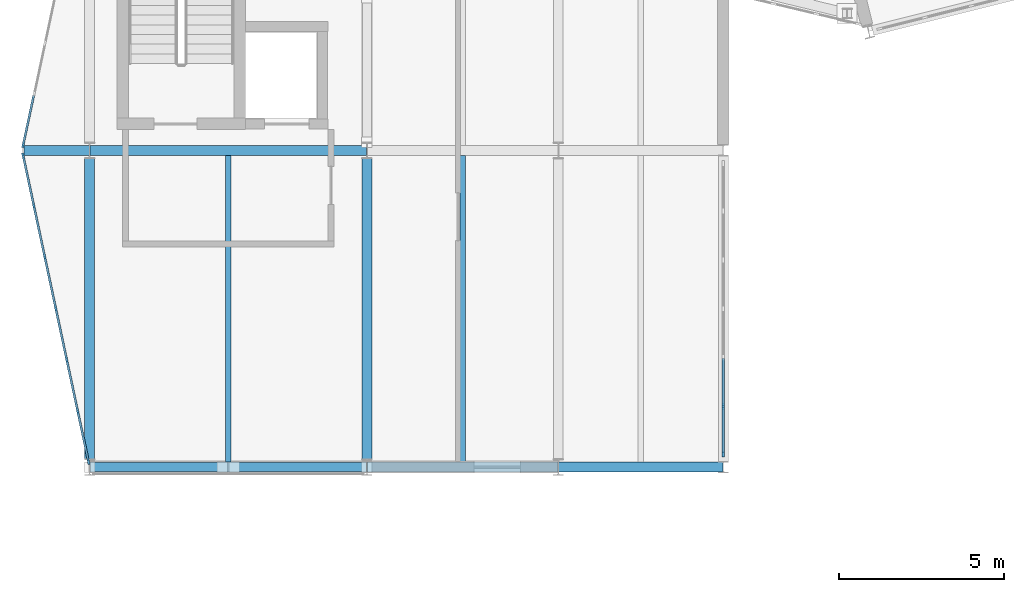
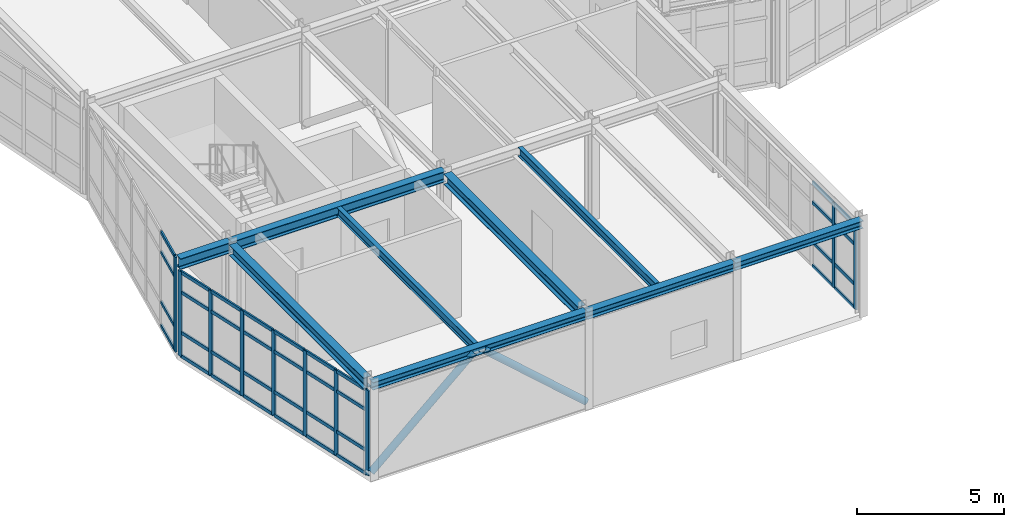
# One storey, part 13 of 76: 48 members, 9 beams, 3 elements without a shape of their own.
"""IFC4 building model written with IfcOpenShell, lengths in metres."""

from ifc_helpers import new_model, si_unit, direction, frame, origin, origin_2d, place, context, subcontext, project, spatial, rectangle, hollow_circle, i_section, extrude, material, layer, layer_set, material_profile, profile_set, type_object, element, aggregate, save


model = new_model("IFC4")

# Units and contexts
model_context = context("Model", 3, precision=1e-05, world=origin(), true_north=direction((0.0, 1.0)))
body_context = subcontext(model_context, "Body", "Model", "MODEL_VIEW")
ifc_project = project(units=[si_unit("LENGTHUNIT", "METRE"), si_unit("AREAUNIT", "SQUARE_METRE"), si_unit("VOLUMEUNIT", "CUBIC_METRE"), si_unit("PLANEANGLEUNIT", "RADIAN"), si_unit("MASSUNIT", "GRAM", prefix="KILO")], contexts=[model_context])

# Site, building, storey
site_placement = place(None, origin())
site = spatial("IfcSite", under=ifc_project, at=site_placement, CompositionType="ELEMENT")
building_placement = place(site_placement, origin())
building = spatial("IfcBuilding", under=site, at=building_placement, Name="Nordkorset Police Headquarters", CompositionType="ELEMENT")
storey_placement = place(building_placement, frame((0.0, 0.0, 13.64990234375)))
storey = spatial("IfcBuildingStorey", under=building, at=storey_placement, Name="L03", CompositionType="ELEMENT", Elevation=13.64990234375)

# Beams
ifc_material_1 = material(Name="Steel S355J2", Category="steel")
ifc_material_profile_1 = material_profile(ifc_material_1, i_section(OverallWidth=0.169921875, OverallDepth=0.360107421875, WebThickness=0.008056640625, FlangeThickness=0.0126953125, FilletRadius=0.01806640625, at=origin_2d()), Name="IPE 360")
ifc_profile_set_1 = profile_set([ifc_material_profile_1], Name="Steel S355J2")
beam_type_1 = type_object("IfcBeamType", Name="Beam_IPE_360", PredefinedType="BEAM", material=ifc_profile_set_1)
for number, where, z_axis, x_axis, name in (
    (1, (4.199951171875, 28.949951171875, 3.800048828125), (0.0, 1.0, 0.0), (-1.0, 0.0, 0.0), "Composite Floor Beam V3 L03 0-0-1"),
    (2, (11.300048828125, 28.949951171875, 3.800048828125), (0.0, 1.0, 0.0), (-1.0, 0.0, 0.0), "Composite Floor Beam V3 L03 1-0-1"),
):
    element("IfcBeam", number, at=place(storey_placement, frame(where, z_axis=z_axis, x_axis=x_axis)), inside=storey, type_object=beam_type_1, Name=name, PredefinedType="BEAM", context=body_context, shape_type="SweptSolid", body=[
        extrude(i_section(OverallWidth=0.169921875, OverallDepth=0.360107421875, WebThickness=0.008056640625, FlangeThickness=0.0126953125, FilletRadius=0.01806640625, at=origin_2d()), origin(), (0.0, 0.0, 1.0), 9.300048828125),
    ])

# Members
ifc_material_2 = material(Name="Steel S355J2", Category="steel")
ifc_material_profile_2 = material_profile(ifc_material_2, hollow_circle(Radius=0.136474609375, WallThickness=0.012451171875, at=origin_2d()), Name="CHS 273x12.5")
ifc_profile_set_2 = profile_set([ifc_material_profile_2], Name="Steel S355J2")
member_type_1 = type_object("IfcMemberType", Name="Brace_CHS_273x12.5", PredefinedType="BRACE", material=ifc_profile_set_2)
for number, where, z_axis, x_axis, name in (
    (3, (0.00732421875, 28.800048828125, 0.2001953125), (0.748059332294, 0.0, 0.663631852286), (0.0, 1.0, 0.0), "Lateral Chevron Brace BF-EXT-V3S L03 D1"),
    (4, (8.392578125, 28.800048828125, 0.2001953125), (-0.748059332294, 0.0, 0.663631852286), (0.0, -1.0, 0.0), "Lateral Chevron Brace BF-EXT-V3S L03 D2"),
):
    element("IfcMember", number, at=place(storey_placement, frame(where, z_axis=z_axis, x_axis=x_axis)), inside=storey, type_object=member_type_1, Name=name, PredefinedType="BRACE", context=body_context, shape_type="SweptSolid", body=[
        extrude(hollow_circle(Radius=0.136474609375, WallThickness=0.012451171875, at=origin_2d()), origin(), (0.0, 0.0, 1.0), 5.3642578125),
    ])

# Curtain wall, members
ifc_material_3 = material(Name="Aluminium alloy AW-6060", Category="aluminium")
ifc_layer_1 = layer(ifc_material_3, 0.179931640625, Name="Aluminium alloy AW-6060")
ifc_layer_set_1 = layer_set([ifc_layer_1], Name="Aluminium alloy AW-6060")
curtain_wall_type_1 = type_object("IfcCurtainWallType", Name="CW_Unit_954x352", PredefinedType="USERDEFINED", material=ifc_layer_set_1)
curtain_wall_1_placement = place(storey_placement, origin())
curtain_wall_1 = element("IfcCurtainWall", 5, at=curtain_wall_1_placement, inside=storey, type_object=curtain_wall_type_1, Name="Unitised Curtain Wall L03 V3W-0", ObjectType="UNITISED CURTAIN WALL", PredefinedType="USERDEFINED")
ifc_material_4 = material(Name="Aluminium alloy AW-6060", Category="aluminium")
ifc_material_profile_3 = material_profile(ifc_material_4, rectangle(XDim=0.06494140625, YDim=0.179931640625, at=origin_2d()), Name="ALU MULL 65x180")
ifc_profile_set_3 = profile_set([ifc_material_profile_3], Name="Aluminium alloy AW-6060")
member_type_2 = type_object("IfcMemberType", Name="CW_Mullion_65x180", PredefinedType="MULLION", material=ifc_profile_set_3)
member_1_placement = place(storey_placement, frame((-0.0361328125, 28.96875, 0.0), z_axis=(0.0, 0.0, 1.0), x_axis=(-0.977951416289, -0.208832534289, 0.0)))
member_1 = element("IfcMember", 6, at=member_1_placement, type_object=member_type_2, Name="CW-105 mullion 1", PredefinedType="MULLION", context=body_context, shape_type="SweptSolid", body=[
    extrude(rectangle(XDim=0.06494140625, YDim=0.179931640625, at=origin_2d()), origin(), (0.0, 0.0, 1.0), 3.52001953125),
])
member_2_placement = place(storey_placement, frame((-0.361083984375, 30.4912109375, 0.0), z_axis=(0.0, 0.0, 1.0), x_axis=(-0.977951416289, -0.208832534289, 0.0)))
member_2 = element("IfcMember", 7, at=member_2_placement, type_object=member_type_2, Name="CW-105 mullion 2", PredefinedType="MULLION", context=body_context, shape_type="SweptSolid", body=[
    extrude(rectangle(XDim=0.06494140625, YDim=0.179931640625, at=origin_2d()), origin(), (0.0, 0.0, 1.0), 3.52001953125),
])
member_3_placement = place(storey_placement, frame((-0.693115234375, 32.045654296875, 0.0), z_axis=(0.0, 0.0, 1.0), x_axis=(-0.977951416289, -0.208832534289, 0.0)))
member_3 = element("IfcMember", 8, at=member_3_placement, type_object=member_type_2, Name="CW-105 mullion 3", PredefinedType="MULLION", context=body_context, shape_type="SweptSolid", body=[
    extrude(rectangle(XDim=0.06494140625, YDim=0.179931640625, at=origin_2d()), origin(), (0.0, 0.0, 1.0), 3.52001953125),
])
member_4_placement = place(storey_placement, frame((-1.02490234375, 33.60009765625, 0.0), z_axis=(0.0, 0.0, 1.0), x_axis=(-0.977951416289, -0.208832534289, 0.0)))
member_4 = element("IfcMember", 9, at=member_4_placement, type_object=member_type_2, Name="CW-105 mullion 4", PredefinedType="MULLION", context=body_context, shape_type="SweptSolid", body=[
    extrude(rectangle(XDim=0.06494140625, YDim=0.179931640625, at=origin_2d()), origin(), (0.0, 0.0, 1.0), 3.52001953125),
])
member_5_placement = place(storey_placement, frame((-1.35693359375, 35.154296875, 0.0), z_axis=(0.0, 0.0, 1.0), x_axis=(-0.977951416289, -0.208832534289, 0.0)))
member_5 = element("IfcMember", 10, at=member_5_placement, type_object=member_type_2, Name="CW-105 mullion 5", PredefinedType="MULLION", context=body_context, shape_type="SweptSolid", body=[
    extrude(rectangle(XDim=0.06494140625, YDim=0.179931640625, at=origin_2d()), origin(), (0.0, 0.0, 1.0), 3.52001953125),
])
member_6_placement = place(storey_placement, frame((-1.688720703125, 36.708740234375, 0.0), z_axis=(0.0, 0.0, 1.0), x_axis=(-0.977951416289, -0.208832534289, 0.0)))
member_6 = element("IfcMember", 11, at=member_6_placement, type_object=member_type_2, Name="CW-105 mullion 6", PredefinedType="MULLION", context=body_context, shape_type="SweptSolid", body=[
    extrude(rectangle(XDim=0.06494140625, YDim=0.179931640625, at=origin_2d()), origin(), (0.0, 0.0, 1.0), 3.52001953125),
])
member_7_placement = place(storey_placement, frame((-2.013916015625, 38.231201171875, 0.0), z_axis=(0.0, 0.0, 1.0), x_axis=(-0.977951416289, -0.208832534289, 0.0)))
member_7 = element("IfcMember", 12, at=member_7_placement, type_object=member_type_2, Name="CW-105 mullion 7", PredefinedType="MULLION", context=body_context, shape_type="SweptSolid", body=[
    extrude(rectangle(XDim=0.06494140625, YDim=0.179931640625, at=origin_2d()), origin(), (0.0, 0.0, 1.0), 3.52001953125),
])

ifc_material_5 = material(Name="Aluminium alloy AW-6060", Category="aluminium")
ifc_layer_2 = layer(ifc_material_5, 0.179931640625, Name="Aluminium alloy AW-6060")
ifc_layer_set_2 = layer_set([ifc_layer_2], Name="Aluminium alloy AW-6060")
curtain_wall_type_2 = type_object("IfcCurtainWallType", Name="CW_Unit_888x350", PredefinedType="USERDEFINED", material=ifc_layer_set_2)
curtain_wall_2_placement = place(storey_placement, origin())
curtain_wall_2 = element("IfcCurtainWall", 13, at=curtain_wall_2_placement, inside=storey, type_object=curtain_wall_type_2, Name="Unitised Curtain Wall L03 V3E-0", ObjectType="UNITISED CURTAIN WALL", PredefinedType="USERDEFINED")
member_8_placement = place(storey_placement, frame((19.199951171875, 29.1923828125, 0.0), z_axis=(0.0, 0.0, 1.0), x_axis=(-1.0, 0.0, 0.0)))
member_8 = element("IfcMember", 14, at=member_8_placement, type_object=member_type_2, Name="CW-95 mullion 1", PredefinedType="MULLION", context=body_context, shape_type="SweptSolid", body=[
    extrude(rectangle(XDim=0.06494140625, YDim=0.179931640625, at=origin_2d()), origin(), (0.0, 0.0, 1.0), 3.505126953125),
])
member_9_placement = place(storey_placement, frame((19.199951171875, 30.639892578125, 0.0), z_axis=(0.0, 0.0, 1.0), x_axis=(-1.0, 0.0, 0.0)))
member_9 = element("IfcMember", 15, at=member_9_placement, type_object=member_type_2, Name="CW-95 mullion 2", PredefinedType="MULLION", context=body_context, shape_type="SweptSolid", body=[
    extrude(rectangle(XDim=0.06494140625, YDim=0.179931640625, at=origin_2d()), origin(), (0.0, 0.0, 1.0), 3.505126953125),
])

# Curtain wall, member
ifc_material_6 = material(Name="Aluminium alloy AW-6060", Category="aluminium")
ifc_layer_3 = layer(ifc_material_6, 0.179931640625, Name="Aluminium alloy AW-6060")
ifc_layer_set_3 = layer_set([ifc_layer_3], Name="Aluminium alloy AW-6060")
curtain_wall_type_3 = type_object("IfcCurtainWallType", Name="CW_Unit_954x392", PredefinedType="USERDEFINED", material=ifc_layer_set_3)
curtain_wall_3_placement = place(storey_placement, origin())
curtain_wall_3 = element("IfcCurtainWall", 16, at=curtain_wall_3_placement, inside=storey, type_object=curtain_wall_type_3, Name="Unitised Curtain Wall L03 V3W-1", ObjectType="UNITISED CURTAIN WALL", PredefinedType="USERDEFINED")
member_10_placement = place(storey_placement, frame((-2.013916015625, 38.568603515625, 0.0), z_axis=(0.0, 0.0, 1.0), x_axis=(-0.977951416289, 0.208832534289, 0.0)))
member_10 = element("IfcMember", 17, at=member_10_placement, type_object=member_type_2, Name="CW-20 mullion 1", PredefinedType="MULLION", context=body_context, shape_type="SweptSolid", body=[
    extrude(rectangle(XDim=0.06494140625, YDim=0.179931640625, at=origin_2d()), origin(), (0.0, 0.0, 1.0), 3.920166015625),
])

# Member
ifc_material_7 = material(Name="Aluminium alloy AW-6060", Category="aluminium")
ifc_material_profile_4 = material_profile(ifc_material_7, rectangle(XDim=0.06494140625, YDim=0.139892578125, at=origin_2d()), Name="ALU TRAN 65x140")
ifc_profile_set_4 = profile_set([ifc_material_profile_4], Name="Aluminium alloy AW-6060")
member_type_3 = type_object("IfcMemberType", Name="CW_Transom_65x140", PredefinedType="USERDEFINED", material=ifc_profile_set_4)
member_11_placement = place(storey_placement, frame((-0.042724609375, 29.00048828125, 0.03271484375), z_axis=(-0.208970278443, 0.977921992148, 0.0), x_axis=(-0.977921992148, -0.208970278443, 0.0)))
member_11 = element("IfcMember", 18, at=member_11_placement, type_object=member_type_3, Name="CW-105 transom 1.1", ObjectType="TRANSOM", PredefinedType="USERDEFINED", context=body_context, shape_type="SweptSolid", body=[
    extrude(rectangle(XDim=0.06494140625, YDim=0.139892578125, at=origin_2d()), origin(), (0.0, 0.0, 1.0), 1.491943359375),
])

member_12_placement = place(storey_placement, frame((-0.042724609375, 29.00048828125, 1.0), z_axis=(-0.208970278443, 0.977921992148, 0.0), x_axis=(-0.977921992148, -0.208970278443, 0.0)))
member_12 = element("IfcMember", 19, at=member_12_placement, type_object=member_type_3, Name="CW-105 transom 1.2", ObjectType="TRANSOM", PredefinedType="USERDEFINED", context=body_context, shape_type="SweptSolid", body=[
    extrude(rectangle(XDim=0.06494140625, YDim=0.139892578125, at=origin_2d()), origin(), (0.0, 0.0, 1.0), 1.491943359375),
])

member_13_placement = place(storey_placement, frame((-0.042724609375, 29.00048828125, 2.670166015625), z_axis=(-0.208970278443, 0.977921992148, 0.0), x_axis=(-0.977921992148, -0.208970278443, 0.0)))
member_13 = element("IfcMember", 20, at=member_13_placement, type_object=member_type_3, Name="CW-105 transom 1.3", ObjectType="TRANSOM", PredefinedType="USERDEFINED", context=body_context, shape_type="SweptSolid", body=[
    extrude(rectangle(XDim=0.06494140625, YDim=0.139892578125, at=origin_2d()), origin(), (0.0, 0.0, 1.0), 1.491943359375),
])

member_14_placement = place(storey_placement, frame((-0.042724609375, 29.00048828125, 3.487548828125), z_axis=(-0.208970278443, 0.977921992148, 0.0), x_axis=(-0.977921992148, -0.208970278443, 0.0)))
member_14 = element("IfcMember", 21, at=member_14_placement, type_object=member_type_3, Name="CW-105 transom 1.4", ObjectType="TRANSOM", PredefinedType="USERDEFINED", context=body_context, shape_type="SweptSolid", body=[
    extrude(rectangle(XDim=0.06494140625, YDim=0.139892578125, at=origin_2d()), origin(), (0.0, 0.0, 1.0), 1.491943359375),
])

member_15_placement = place(storey_placement, frame((-0.367919921875, 30.52294921875, 0.03271484375), z_axis=(-0.208818182896, 0.977954480787, 0.0), x_axis=(-0.977954480787, -0.208818182896, 0.0)))
member_15 = element("IfcMember", 22, at=member_15_placement, type_object=member_type_3, Name="CW-105 transom 2.1", ObjectType="TRANSOM", PredefinedType="USERDEFINED", context=body_context, shape_type="SweptSolid", body=[
    extrude(rectangle(XDim=0.06494140625, YDim=0.139892578125, at=origin_2d()), origin(), (0.0, 0.0, 1.0), 1.524658203125),
])

member_16_placement = place(storey_placement, frame((-0.367919921875, 30.52294921875, 1.0), z_axis=(-0.208818182896, 0.977954480787, 0.0), x_axis=(-0.977954480787, -0.208818182896, 0.0)))
member_16 = element("IfcMember", 23, at=member_16_placement, type_object=member_type_3, Name="CW-105 transom 2.2", ObjectType="TRANSOM", PredefinedType="USERDEFINED", context=body_context, shape_type="SweptSolid", body=[
    extrude(rectangle(XDim=0.06494140625, YDim=0.139892578125, at=origin_2d()), origin(), (0.0, 0.0, 1.0), 1.524658203125),
])

member_17_placement = place(storey_placement, frame((-0.367919921875, 30.52294921875, 2.670166015625), z_axis=(-0.208818182896, 0.977954480787, 0.0), x_axis=(-0.977954480787, -0.208818182896, 0.0)))
member_17 = element("IfcMember", 24, at=member_17_placement, type_object=member_type_3, Name="CW-105 transom 2.3", ObjectType="TRANSOM", PredefinedType="USERDEFINED", context=body_context, shape_type="SweptSolid", body=[
    extrude(rectangle(XDim=0.06494140625, YDim=0.139892578125, at=origin_2d()), origin(), (0.0, 0.0, 1.0), 1.524658203125),
])

member_18_placement = place(storey_placement, frame((-0.367919921875, 30.52294921875, 3.487548828125), z_axis=(-0.208818182896, 0.977954480787, 0.0), x_axis=(-0.977954480787, -0.208818182896, 0.0)))
member_18 = element("IfcMember", 25, at=member_18_placement, type_object=member_type_3, Name="CW-105 transom 2.4", ObjectType="TRANSOM", PredefinedType="USERDEFINED", context=body_context, shape_type="SweptSolid", body=[
    extrude(rectangle(XDim=0.06494140625, YDim=0.139892578125, at=origin_2d()), origin(), (0.0, 0.0, 1.0), 1.524658203125),
])

member_19_placement = place(storey_placement, frame((-0.699951171875, 32.077392578125, 0.03271484375), z_axis=(-0.208850890154, 0.977947496383, 0.0), x_axis=(-0.977947496383, -0.208850890154, 0.0)))
member_19 = element("IfcMember", 26, at=member_19_placement, type_object=member_type_3, Name="CW-105 transom 3.1", ObjectType="TRANSOM", PredefinedType="USERDEFINED", context=body_context, shape_type="SweptSolid", body=[
    extrude(rectangle(XDim=0.06494140625, YDim=0.139892578125, at=origin_2d()), origin(), (0.0, 0.0, 1.0), 1.5244140625),
])

member_20_placement = place(storey_placement, frame((-0.699951171875, 32.077392578125, 1.0), z_axis=(-0.208850890154, 0.977947496383, 0.0), x_axis=(-0.977947496383, -0.208850890154, 0.0)))
member_20 = element("IfcMember", 27, at=member_20_placement, type_object=member_type_3, Name="CW-105 transom 3.2", ObjectType="TRANSOM", PredefinedType="USERDEFINED", context=body_context, shape_type="SweptSolid", body=[
    extrude(rectangle(XDim=0.06494140625, YDim=0.139892578125, at=origin_2d()), origin(), (0.0, 0.0, 1.0), 1.5244140625),
])

member_21_placement = place(storey_placement, frame((-0.699951171875, 32.077392578125, 2.670166015625), z_axis=(-0.208850890154, 0.977947496383, 0.0), x_axis=(-0.977947496383, -0.208850890154, 0.0)))
member_21 = element("IfcMember", 28, at=member_21_placement, type_object=member_type_3, Name="CW-105 transom 3.3", ObjectType="TRANSOM", PredefinedType="USERDEFINED", context=body_context, shape_type="SweptSolid", body=[
    extrude(rectangle(XDim=0.06494140625, YDim=0.139892578125, at=origin_2d()), origin(), (0.0, 0.0, 1.0), 1.5244140625),
])

member_22_placement = place(storey_placement, frame((-0.699951171875, 32.077392578125, 3.487548828125), z_axis=(-0.208850890154, 0.977947496383, 0.0), x_axis=(-0.977947496383, -0.208850890154, 0.0)))
member_22 = element("IfcMember", 29, at=member_22_placement, type_object=member_type_3, Name="CW-105 transom 3.4", ObjectType="TRANSOM", PredefinedType="USERDEFINED", context=body_context, shape_type="SweptSolid", body=[
    extrude(rectangle(XDim=0.06494140625, YDim=0.139892578125, at=origin_2d()), origin(), (0.0, 0.0, 1.0), 1.5244140625),
])

member_23_placement = place(storey_placement, frame((-1.03173828125, 33.6318359375, 0.03271484375), z_axis=(-0.208850890154, 0.977947496383, 0.0), x_axis=(-0.977947496383, -0.208850890154, 0.0)))
member_23 = element("IfcMember", 30, at=member_23_placement, type_object=member_type_3, Name="CW-105 transom 4.1", ObjectType="TRANSOM", PredefinedType="USERDEFINED", context=body_context, shape_type="SweptSolid", body=[
    extrude(rectangle(XDim=0.06494140625, YDim=0.139892578125, at=origin_2d()), origin(), (0.0, 0.0, 1.0), 1.5244140625),
])

member_24_placement = place(storey_placement, frame((-1.03173828125, 33.6318359375, 1.0), z_axis=(-0.208850890154, 0.977947496383, 0.0), x_axis=(-0.977947496383, -0.208850890154, 0.0)))
member_24 = element("IfcMember", 31, at=member_24_placement, type_object=member_type_3, Name="CW-105 transom 4.2", ObjectType="TRANSOM", PredefinedType="USERDEFINED", context=body_context, shape_type="SweptSolid", body=[
    extrude(rectangle(XDim=0.06494140625, YDim=0.139892578125, at=origin_2d()), origin(), (0.0, 0.0, 1.0), 1.5244140625),
])

member_25_placement = place(storey_placement, frame((-1.03173828125, 33.6318359375, 2.670166015625), z_axis=(-0.208850890154, 0.977947496383, 0.0), x_axis=(-0.977947496383, -0.208850890154, 0.0)))
member_25 = element("IfcMember", 32, at=member_25_placement, type_object=member_type_3, Name="CW-105 transom 4.3", ObjectType="TRANSOM", PredefinedType="USERDEFINED", context=body_context, shape_type="SweptSolid", body=[
    extrude(rectangle(XDim=0.06494140625, YDim=0.139892578125, at=origin_2d()), origin(), (0.0, 0.0, 1.0), 1.5244140625),
])

member_26_placement = place(storey_placement, frame((-1.03173828125, 33.6318359375, 3.487548828125), z_axis=(-0.208850890154, 0.977947496383, 0.0), x_axis=(-0.977947496383, -0.208850890154, 0.0)))
member_26 = element("IfcMember", 33, at=member_26_placement, type_object=member_type_3, Name="CW-105 transom 4.4", ObjectType="TRANSOM", PredefinedType="USERDEFINED", context=body_context, shape_type="SweptSolid", body=[
    extrude(rectangle(XDim=0.06494140625, YDim=0.139892578125, at=origin_2d()), origin(), (0.0, 0.0, 1.0), 1.5244140625),
])

member_27_placement = place(storey_placement, frame((-1.36376953125, 35.18603515625, 0.03271484375), z_axis=(-0.208818182896, 0.977954480787, 0.0), x_axis=(-0.977954480787, -0.208818182896, 0.0)))
member_27 = element("IfcMember", 34, at=member_27_placement, type_object=member_type_3, Name="CW-105 transom 5.1", ObjectType="TRANSOM", PredefinedType="USERDEFINED", context=body_context, shape_type="SweptSolid", body=[
    extrude(rectangle(XDim=0.06494140625, YDim=0.139892578125, at=origin_2d()), origin(), (0.0, 0.0, 1.0), 1.524658203125),
])

member_28_placement = place(storey_placement, frame((-1.36376953125, 35.18603515625, 1.0), z_axis=(-0.208818182896, 0.977954480787, 0.0), x_axis=(-0.977954480787, -0.208818182896, 0.0)))
member_28 = element("IfcMember", 35, at=member_28_placement, type_object=member_type_3, Name="CW-105 transom 5.2", ObjectType="TRANSOM", PredefinedType="USERDEFINED", context=body_context, shape_type="SweptSolid", body=[
    extrude(rectangle(XDim=0.06494140625, YDim=0.139892578125, at=origin_2d()), origin(), (0.0, 0.0, 1.0), 1.524658203125),
])

member_29_placement = place(storey_placement, frame((-1.36376953125, 35.18603515625, 2.670166015625), z_axis=(-0.208818182896, 0.977954480787, 0.0), x_axis=(-0.977954480787, -0.208818182896, 0.0)))
member_29 = element("IfcMember", 36, at=member_29_placement, type_object=member_type_3, Name="CW-105 transom 5.3", ObjectType="TRANSOM", PredefinedType="USERDEFINED", context=body_context, shape_type="SweptSolid", body=[
    extrude(rectangle(XDim=0.06494140625, YDim=0.139892578125, at=origin_2d()), origin(), (0.0, 0.0, 1.0), 1.524658203125),
])

member_30_placement = place(storey_placement, frame((-1.36376953125, 35.18603515625, 3.487548828125), z_axis=(-0.208818182896, 0.977954480787, 0.0), x_axis=(-0.977954480787, -0.208818182896, 0.0)))
member_30 = element("IfcMember", 37, at=member_30_placement, type_object=member_type_3, Name="CW-105 transom 5.4", ObjectType="TRANSOM", PredefinedType="USERDEFINED", context=body_context, shape_type="SweptSolid", body=[
    extrude(rectangle(XDim=0.06494140625, YDim=0.139892578125, at=origin_2d()), origin(), (0.0, 0.0, 1.0), 1.524658203125),
])

member_31_placement = place(storey_placement, frame((-1.695556640625, 36.740478515625, 0.03271484375), z_axis=(-0.208813774846, 0.977955422008, 0.0), x_axis=(-0.977955422008, -0.208813774846, 0.0)))
member_31 = element("IfcMember", 38, at=member_31_placement, type_object=member_type_3, Name="CW-105 transom 6.1", ObjectType="TRANSOM", PredefinedType="USERDEFINED", context=body_context, shape_type="SweptSolid", body=[
    extrude(rectangle(XDim=0.06494140625, YDim=0.139892578125, at=origin_2d()), origin(), (0.0, 0.0, 1.0), 1.491943359375),
])

member_32_placement = place(storey_placement, frame((-1.695556640625, 36.740478515625, 1.0), z_axis=(-0.208813774846, 0.977955422008, 0.0), x_axis=(-0.977955422008, -0.208813774846, 0.0)))
member_32 = element("IfcMember", 39, at=member_32_placement, type_object=member_type_3, Name="CW-105 transom 6.2", ObjectType="TRANSOM", PredefinedType="USERDEFINED", context=body_context, shape_type="SweptSolid", body=[
    extrude(rectangle(XDim=0.06494140625, YDim=0.139892578125, at=origin_2d()), origin(), (0.0, 0.0, 1.0), 1.491943359375),
])

member_33_placement = place(storey_placement, frame((-1.695556640625, 36.740478515625, 2.670166015625), z_axis=(-0.208813774846, 0.977955422008, 0.0), x_axis=(-0.977955422008, -0.208813774846, 0.0)))
member_33 = element("IfcMember", 40, at=member_33_placement, type_object=member_type_3, Name="CW-105 transom 6.3", ObjectType="TRANSOM", PredefinedType="USERDEFINED", context=body_context, shape_type="SweptSolid", body=[
    extrude(rectangle(XDim=0.06494140625, YDim=0.139892578125, at=origin_2d()), origin(), (0.0, 0.0, 1.0), 1.491943359375),
])

member_34_placement = place(storey_placement, frame((-1.695556640625, 36.740478515625, 3.487548828125), z_axis=(-0.208813774846, 0.977955422008, 0.0), x_axis=(-0.977955422008, -0.208813774846, 0.0)))
member_34 = element("IfcMember", 41, at=member_34_placement, type_object=member_type_3, Name="CW-105 transom 6.4", ObjectType="TRANSOM", PredefinedType="USERDEFINED", context=body_context, shape_type="SweptSolid", body=[
    extrude(rectangle(XDim=0.06494140625, YDim=0.139892578125, at=origin_2d()), origin(), (0.0, 0.0, 1.0), 1.491943359375),
])

aggregate(curtain_wall_1, [member_1, member_2, member_3, member_4, member_5, member_6, member_7, member_11, member_12, member_13, member_14, member_15, member_16, member_17, member_18, member_19, member_20, member_21, member_22, member_23, member_24, member_25, member_26, member_27, member_28, member_29, member_30, member_31, member_32, member_33, member_34])

member_35_placement = place(storey_placement, frame((19.199951171875, 29.22509765625, 0.03271484375), z_axis=(0.0, 1.0, 0.0), x_axis=(-1.0, 0.0, 0.0)))
member_35 = element("IfcMember", 42, at=member_35_placement, type_object=member_type_3, Name="CW-95 transom 1.1", ObjectType="TRANSOM", PredefinedType="USERDEFINED", context=body_context, shape_type="SweptSolid", body=[
    extrude(rectangle(XDim=0.06494140625, YDim=0.139892578125, at=origin_2d()), origin(), (0.0, 0.0, 1.0), 1.38232421875),
])

member_36_placement = place(storey_placement, frame((19.199951171875, 29.22509765625, 1.0), z_axis=(0.0, 1.0, 0.0), x_axis=(-1.0, 0.0, 0.0)))
member_36 = element("IfcMember", 43, at=member_36_placement, type_object=member_type_3, Name="CW-95 transom 1.2", ObjectType="TRANSOM", PredefinedType="USERDEFINED", context=body_context, shape_type="SweptSolid", body=[
    extrude(rectangle(XDim=0.06494140625, YDim=0.139892578125, at=origin_2d()), origin(), (0.0, 0.0, 1.0), 1.38232421875),
])

member_37_placement = place(storey_placement, frame((19.199951171875, 29.22509765625, 2.655029296875), z_axis=(0.0, 1.0, 0.0), x_axis=(-1.0, 0.0, 0.0)))
member_37 = element("IfcMember", 44, at=member_37_placement, type_object=member_type_3, Name="CW-95 transom 1.3", ObjectType="TRANSOM", PredefinedType="USERDEFINED", context=body_context, shape_type="SweptSolid", body=[
    extrude(rectangle(XDim=0.06494140625, YDim=0.139892578125, at=origin_2d()), origin(), (0.0, 0.0, 1.0), 1.38232421875),
])

member_38_placement = place(storey_placement, frame((19.199951171875, 29.22509765625, 3.47265625), z_axis=(0.0, 1.0, 0.0), x_axis=(-1.0, 0.0, 0.0)))
member_38 = element("IfcMember", 45, at=member_38_placement, type_object=member_type_3, Name="CW-95 transom 1.4", ObjectType="TRANSOM", PredefinedType="USERDEFINED", context=body_context, shape_type="SweptSolid", body=[
    extrude(rectangle(XDim=0.06494140625, YDim=0.139892578125, at=origin_2d()), origin(), (0.0, 0.0, 1.0), 1.38232421875),
])

member_39_placement = place(storey_placement, frame((19.199951171875, 30.672607421875, 0.03271484375), z_axis=(0.0, 1.0, 0.0), x_axis=(-1.0, 0.0, 0.0)))
member_39 = element("IfcMember", 46, at=member_39_placement, type_object=member_type_3, Name="CW-95 transom 2.1", ObjectType="TRANSOM", PredefinedType="USERDEFINED", context=body_context, shape_type="SweptSolid", body=[
    extrude(rectangle(XDim=0.06494140625, YDim=0.139892578125, at=origin_2d()), origin(), (0.0, 0.0, 1.0), 1.414794921875),
])

member_40_placement = place(storey_placement, frame((19.199951171875, 30.672607421875, 1.0), z_axis=(0.0, 1.0, 0.0), x_axis=(-1.0, 0.0, 0.0)))
member_40 = element("IfcMember", 47, at=member_40_placement, type_object=member_type_3, Name="CW-95 transom 2.2", ObjectType="TRANSOM", PredefinedType="USERDEFINED", context=body_context, shape_type="SweptSolid", body=[
    extrude(rectangle(XDim=0.06494140625, YDim=0.139892578125, at=origin_2d()), origin(), (0.0, 0.0, 1.0), 1.414794921875),
])

member_41_placement = place(storey_placement, frame((19.199951171875, 30.672607421875, 2.655029296875), z_axis=(0.0, 1.0, 0.0), x_axis=(-1.0, 0.0, 0.0)))
member_41 = element("IfcMember", 48, at=member_41_placement, type_object=member_type_3, Name="CW-95 transom 2.3", ObjectType="TRANSOM", PredefinedType="USERDEFINED", context=body_context, shape_type="SweptSolid", body=[
    extrude(rectangle(XDim=0.06494140625, YDim=0.139892578125, at=origin_2d()), origin(), (0.0, 0.0, 1.0), 1.414794921875),
])

member_42_placement = place(storey_placement, frame((19.199951171875, 30.672607421875, 3.47265625), z_axis=(0.0, 1.0, 0.0), x_axis=(-1.0, 0.0, 0.0)))
member_42 = element("IfcMember", 49, at=member_42_placement, type_object=member_type_3, Name="CW-95 transom 2.4", ObjectType="TRANSOM", PredefinedType="USERDEFINED", context=body_context, shape_type="SweptSolid", body=[
    extrude(rectangle(XDim=0.06494140625, YDim=0.139892578125, at=origin_2d()), origin(), (0.0, 0.0, 1.0), 1.414794921875),
])

aggregate(curtain_wall_2, [member_8, member_9, member_35, member_36, member_37, member_38, member_39, member_40, member_41, member_42])

member_43_placement = place(storey_placement, frame((-2.007080078125, 38.6005859375, 0.03271484375), z_axis=(0.208813774846, 0.977955422008, 0.0), x_axis=(-0.977955422008, 0.208813774846, 0.0)))
member_43 = element("IfcMember", 50, at=member_43_placement, type_object=member_type_3, Name="CW-20 transom 1.1", ObjectType="TRANSOM", PredefinedType="USERDEFINED", context=body_context, shape_type="SweptSolid", body=[
    extrude(rectangle(XDim=0.06494140625, YDim=0.139892578125, at=origin_2d()), origin(), (0.0, 0.0, 1.0), 1.491943359375),
])

member_44_placement = place(storey_placement, frame((-2.007080078125, 38.6005859375, 1.0), z_axis=(0.208813774846, 0.977955422008, 0.0), x_axis=(-0.977955422008, 0.208813774846, 0.0)))
member_44 = element("IfcMember", 51, at=member_44_placement, type_object=member_type_3, Name="CW-20 transom 1.2", ObjectType="TRANSOM", PredefinedType="USERDEFINED", context=body_context, shape_type="SweptSolid", body=[
    extrude(rectangle(XDim=0.06494140625, YDim=0.139892578125, at=origin_2d()), origin(), (0.0, 0.0, 1.0), 1.491943359375),
])

member_45_placement = place(storey_placement, frame((-2.007080078125, 38.6005859375, 3.070068359375), z_axis=(0.208813774846, 0.977955422008, 0.0), x_axis=(-0.977955422008, 0.208813774846, 0.0)))
member_45 = element("IfcMember", 52, at=member_45_placement, type_object=member_type_3, Name="CW-20 transom 1.3", ObjectType="TRANSOM", PredefinedType="USERDEFINED", context=body_context, shape_type="SweptSolid", body=[
    extrude(rectangle(XDim=0.06494140625, YDim=0.139892578125, at=origin_2d()), origin(), (0.0, 0.0, 1.0), 1.491943359375),
])

member_46_placement = place(storey_placement, frame((-2.007080078125, 38.6005859375, 3.8876953125), z_axis=(0.208813774846, 0.977955422008, 0.0), x_axis=(-0.977955422008, 0.208813774846, 0.0)))
member_46 = element("IfcMember", 53, at=member_46_placement, type_object=member_type_3, Name="CW-20 transom 1.4", ObjectType="TRANSOM", PredefinedType="USERDEFINED", context=body_context, shape_type="SweptSolid", body=[
    extrude(rectangle(XDim=0.06494140625, YDim=0.139892578125, at=origin_2d()), origin(), (0.0, 0.0, 1.0), 1.491943359375),
])

aggregate(curtain_wall_3, [member_10, member_43, member_44, member_45, member_46])

# Beams
ifc_material_8 = material(Name="Steel S355J2", Category="steel")
ifc_material_profile_5 = material_profile(ifc_material_8, i_section(OverallWidth=0.300048828125, OverallDepth=0.43994140625, WebThickness=0.011474609375, FlangeThickness=0.02099609375, FilletRadius=0.027099609375, at=origin_2d()), Name="HEA 450")
ifc_profile_set_5 = profile_set([ifc_material_profile_5], Name="Steel S355J2")
beam_type_2 = type_object("IfcBeamType", Name="Girder_HEA_450", PredefinedType="USERDEFINED", material=ifc_profile_set_5)
beam_1_placement = place(storey_placement, frame((0.00732421875, 38.39990234375, 3.760009765625), z_axis=(1.0, 0.0, 0.0), x_axis=(0.0, 1.0, 0.0)))
element("IfcBeam", 54, at=beam_1_placement, inside=storey, type_object=beam_type_2, Name="Girder V3 L03 GX-1-0", ObjectType="GIRDER", PredefinedType="USERDEFINED", context=body_context, shape_type="SweptSolid", body=[
    extrude(i_section(OverallWidth=0.300048828125, OverallDepth=0.43994140625, WebThickness=0.011474609375, FlangeThickness=0.02099609375, FilletRadius=0.027099609375, at=origin_2d()), origin(), (0.0, 0.0, 1.0), 8.38525390625),
])
for number, where, z_axis, x_axis, name in (
    (55, (0.0, 29.050048828125, 3.760009765625), (0.0, 1.0, 0.0), (-1.0, 0.0, 0.0), "Girder V3 L03 GY-0-0"),
    (56, (8.39990234375, 29.050048828125, 3.760009765625), (0.0, 1.0, 0.0), (-1.0, 0.0, 0.0), "Girder V3 L03 GY-1-0"),
):
    element("IfcBeam", number, at=place(storey_placement, frame(where, z_axis=z_axis, x_axis=x_axis)), inside=storey, type_object=beam_type_2, Name=name, ObjectType="GIRDER", PredefinedType="USERDEFINED", context=body_context, shape_type="SweptSolid", body=[
        extrude(i_section(OverallWidth=0.300048828125, OverallDepth=0.43994140625, WebThickness=0.011474609375, FlangeThickness=0.02099609375, FilletRadius=0.027099609375, at=origin_2d()), origin(), (0.0, 0.0, 1.0), 9.099853515625),
    ])
beam_2_placement = place(storey_placement, frame((-0.00732421875, 38.39990234375, 3.760009765625), z_axis=(-1.0, 0.0, 0.0), x_axis=(0.0, -1.0, 0.0)))
element("IfcBeam", 57, at=beam_2_placement, inside=storey, type_object=beam_type_2, Name="Sawtooth Facade Outrigger V3 L03 38", ObjectType="GIRDER", PredefinedType="USERDEFINED", context=body_context, shape_type="SweptSolid", body=[
    extrude(i_section(OverallWidth=0.300048828125, OverallDepth=0.43994140625, WebThickness=0.011474609375, FlangeThickness=0.02099609375, FilletRadius=0.027099609375, at=origin_2d()), origin(), (0.0, 0.0, 1.0), 1.982666015625),
])
ifc_material_9 = material(Name="Steel S355J2", Category="steel")
ifc_material_profile_6 = material_profile(ifc_material_9, i_section(OverallWidth=0.300048828125, OverallDepth=0.31005859375, WebThickness=0.009033203125, FlangeThickness=0.015380859375, FilletRadius=0.027099609375, at=origin_2d()), Name="HEA 320")
ifc_profile_set_6 = profile_set([ifc_material_profile_6], Name="Steel S355J2")
beam_type_3 = type_object("IfcBeamType", Name="Spandrel_HEA_320", PredefinedType="SPANDREL", material=ifc_profile_set_6)
beam_3_placement = place(storey_placement, frame((0.00732421875, 28.800048828125, 3.8251953125), z_axis=(1.0, 0.0, 0.0), x_axis=(0.0, 1.0, 0.0)))
element("IfcBeam", 58, at=beam_3_placement, inside=storey, type_object=beam_type_3, Name="Girder V3 L03 GX-0-0", PredefinedType="SPANDREL", context=body_context, shape_type="SweptSolid", body=[
    extrude(i_section(OverallWidth=0.300048828125, OverallDepth=0.31005859375, WebThickness=0.009033203125, FlangeThickness=0.015380859375, FilletRadius=0.027099609375, at=origin_2d()), origin(), (0.0, 0.0, 1.0), 8.38525390625),
])
beam_4_placement = place(storey_placement, frame((8.4072265625, 28.800048828125, 3.81005859375), z_axis=(1.0, 0.0, 0.0), x_axis=(0.0, 1.0, 0.0)))
element("IfcBeam", 59, at=beam_4_placement, inside=storey, type_object=beam_type_3, Name="Girder V3 L03 GX-0-1", PredefinedType="SPANDREL", context=body_context, shape_type="SweptSolid", body=[
    extrude(i_section(OverallWidth=0.300048828125, OverallDepth=0.31005859375, WebThickness=0.009033203125, FlangeThickness=0.015380859375, FilletRadius=0.027099609375, at=origin_2d()), origin(), (0.0, 0.0, 1.0), 5.785400390625),
])
beam_5_placement = place(storey_placement, frame((14.207275390625, 28.800048828125, 3.81005859375), z_axis=(1.0, 0.0, 0.0), x_axis=(0.0, 1.0, 0.0)))
element("IfcBeam", 60, at=beam_5_placement, inside=storey, type_object=beam_type_3, Name="Girder V3 L03 GX-0-2", PredefinedType="SPANDREL", context=body_context, shape_type="SweptSolid", body=[
    extrude(i_section(OverallWidth=0.300048828125, OverallDepth=0.31005859375, WebThickness=0.009033203125, FlangeThickness=0.015380859375, FilletRadius=0.027099609375, at=origin_2d()), origin(), (0.0, 0.0, 1.0), 4.98681640625),
])

save(model, "model.ifc")
